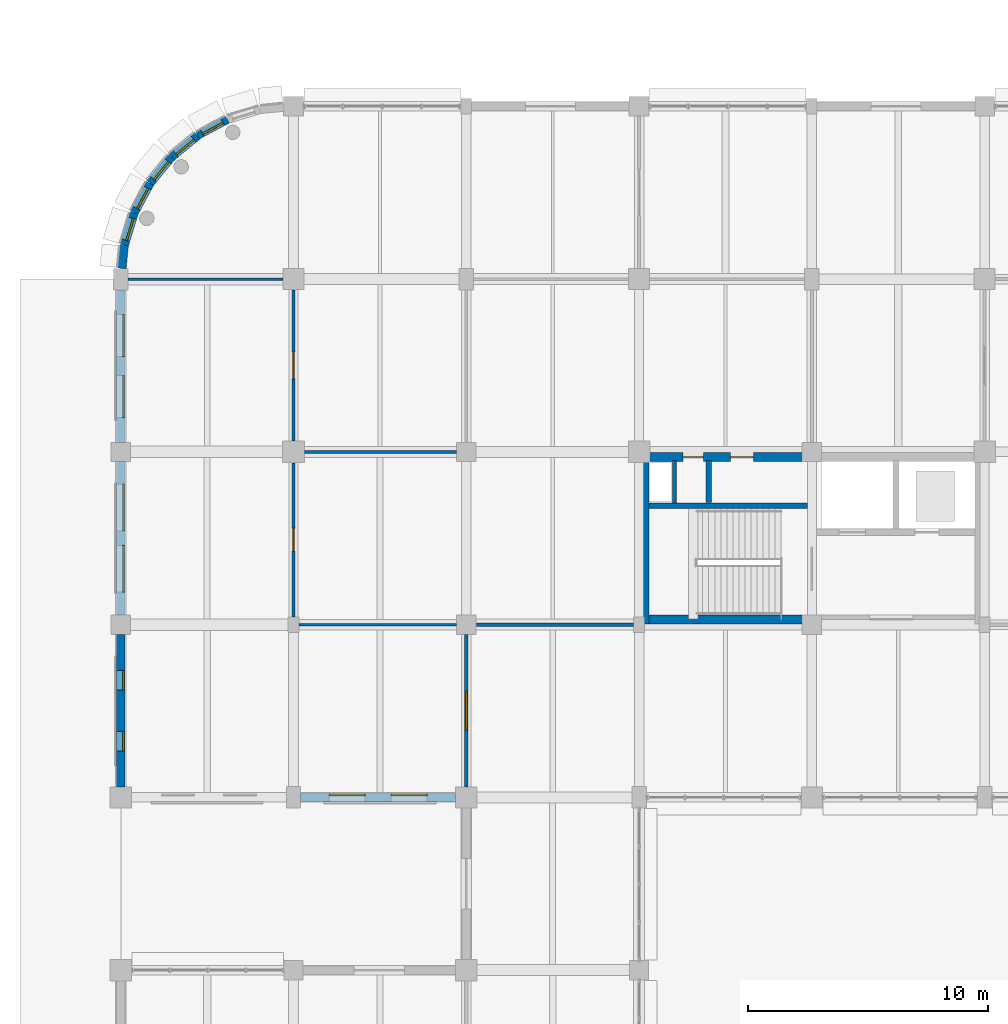
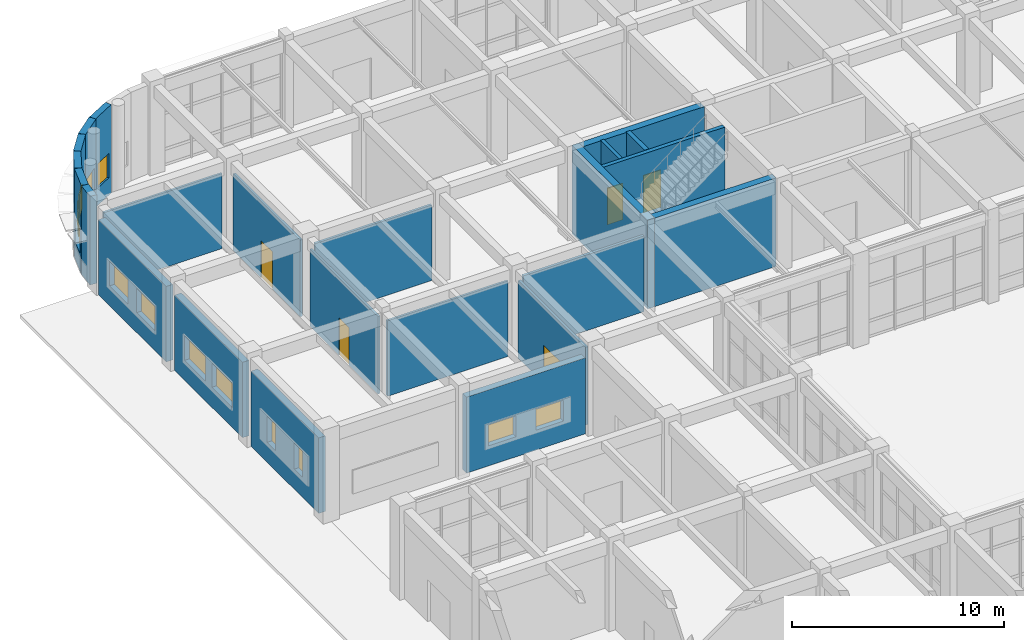
# One storey, part 141 of 160: 23 walls, 13 windows, 5 doors, 18 openings.
"""IFC4 building model written with IfcOpenShell, lengths in metres."""

from ifc_helpers import new_model, si_unit, direction, frame, frame_2d, origin, place, context, subcontext, project, spatial, rectangle, extrude, material, layer, layer_set, type_object, element, fill, save


model = new_model("IFC4")

# Units and contexts
model_context = context("Model", 3, precision=1e-05, world=origin(), true_north=direction((0.0, 1.0)))
body_context = subcontext(model_context, "Body", "Model", "MODEL_VIEW")
ifc_project = project(units=[si_unit("LENGTHUNIT", "METRE"), si_unit("AREAUNIT", "SQUARE_METRE"), si_unit("VOLUMEUNIT", "CUBIC_METRE"), si_unit("PLANEANGLEUNIT", "RADIAN"), si_unit("MASSUNIT", "GRAM", prefix="KILO")], contexts=[model_context])

# Site, building, storey
site_placement = place(None, origin())
site = spatial("IfcSite", under=ifc_project, at=site_placement, CompositionType="ELEMENT")
building_placement = place(site_placement, origin())
building = spatial("IfcBuilding", under=site, at=building_placement, Name="Thalmaran Polytechnic", CompositionType="ELEMENT")
storey_placement = place(building_placement, origin())
storey = spatial("IfcBuildingStorey", under=building, at=storey_placement, Name="L00", CompositionType="ELEMENT", Elevation=0.0)

# Wall, openings, windows
ifc_material_1 = material(Name="Precast concrete C40/50", Category="concrete")
ifc_layer_1 = layer(ifc_material_1, 0.360107421875, Name="Precast concrete C40/50")
ifc_layer_set_1 = layer_set([ifc_layer_1], Name="Precast concrete C40/50")
wall_type_1 = type_object("IfcWallType", Name="WL-EW01", PredefinedType="STANDARD", material=ifc_layer_set_1)
wall_1_placement = place(storey_placement, frame((13.9599609375, 93.60009765625, 0.0), z_axis=(0.0, 0.0, 1.0), x_axis=(-1.0, 0.0, 0.0)))
wall_1 = element("IfcWall", 1, at=wall_1_placement, inside=storey, type_object=wall_type_1, Name="Exterior Precast Facade Wall L00-016", PredefinedType="STANDARD", context=body_context, shape_type="SweptSolid", body=[
    extrude(rectangle(XDim=6.4599609375, YDim=0.360107421875, at=frame_2d((3.22998046875, 0.0))), origin(), (0.0, 0.0, 1.0), 4.3701171875),
])
opening_1_placement = place(wall_1_placement, frame((1.18798828125, 0.0, 1.14990234375)))
opening_1 = element("IfcOpeningElement", 2, at=opening_1_placement, cuts=wall_1, Name="Opening PW14", PredefinedType="OPENING", context=body_context, shape_type="SweptSolid", body=[
    extrude(rectangle(XDim=1.5, YDim=1.199951171875, at=frame_2d((0.75, 0.60009765625))), frame((0.0, 0.18994140625, 0.0), z_axis=(0.0, -1.0, 0.0), x_axis=(1.0, 0.0, 0.0)), (0.0, 0.0, 1.0), 0.380126953125),
])
opening_2_placement = place(wall_1_placement, frame((3.77197265625, 0.0, 1.14990234375)))
opening_2 = element("IfcOpeningElement", 3, at=opening_2_placement, cuts=wall_1, Name="Opening PW14", PredefinedType="OPENING", context=body_context, shape_type="SweptSolid", body=[
    extrude(rectangle(XDim=1.5, YDim=1.199951171875, at=frame_2d((0.75, 0.60009765625))), frame((0.0, 0.18994140625, 0.0), z_axis=(0.0, -1.0, 0.0), x_axis=(1.0, 0.0, 0.0)), (0.0, 0.0, 1.0), 0.380126953125),
])
ifc_material_2 = material(Name="Thermally broken aluminium and double low-E glass", Category="aluminium")
window_type_1 = type_object("IfcWindowType", Name="WN-PW04", PartitioningType="DOUBLE_PANEL_VERTICAL", PredefinedType="WINDOW", material=ifc_material_2)
window_1_placement = place(opening_1_placement, origin())
window_1 = element("IfcWindow", 4, at=window_1_placement, inside=storey, type_object=window_type_1, Name="Deep-Set Solar-Screened Window W-0009", OverallHeight=1.199951171875, OverallWidth=1.5, PartitioningType="SINGLE_PANEL", PredefinedType="WINDOW", context=body_context, shape_type="SweptSolid", body=[
    extrude(rectangle(XDim=1.5, YDim=1.199951171875, at=frame_2d((0.75, 0.60009765625))), frame((0.0, -0.080078125, 0.0), z_axis=(0.0, -1.0, 0.0), x_axis=(1.0, 0.0, 0.0)), (0.0, 0.0, 1.0), 0.06005859375),
])
fill(opening_1, window_1)
window_2_placement = place(opening_2_placement, origin())
window_2 = element("IfcWindow", 5, at=window_2_placement, inside=storey, type_object=window_type_1, Name="Deep-Set Solar-Screened Window W-0010", OverallHeight=1.199951171875, OverallWidth=1.5, PartitioningType="SINGLE_PANEL", PredefinedType="WINDOW", context=body_context, shape_type="SweptSolid", body=[
    extrude(rectangle(XDim=1.5, YDim=1.199951171875, at=frame_2d((0.75, 0.60009765625))), frame((0.0, -0.080078125, 0.0), z_axis=(0.0, -1.0, 0.0), x_axis=(1.0, 0.0, 0.0)), (0.0, 0.0, 1.0), 0.06005859375),
])
fill(opening_2, window_2)

wall_2_placement = place(storey_placement, frame((0.0, 94.0400390625, 0.0), z_axis=(0.0, 0.0, 1.0), x_axis=(0.0, 1.0, 0.0)))
wall_2 = element("IfcWall", 6, at=wall_2_placement, inside=storey, type_object=wall_type_1, Name="Exterior Precast Facade Wall L00-018", PredefinedType="STANDARD", context=body_context, shape_type="SweptSolid", body=[
    extrude(rectangle(XDim=6.349853515625, YDim=0.360107421875, at=frame_2d((3.1748046875, 0.0))), origin(), (0.0, 0.0, 1.0), 4.3349609375),
])
opening_3_placement = place(wall_2_placement, frame((1.5048828125, 0.0, 1.14990234375)))
opening_3 = element("IfcOpeningElement", 7, at=opening_3_placement, cuts=wall_2, Name="Opening PW16", PredefinedType="OPENING", context=body_context, shape_type="SweptSolid", body=[
    extrude(rectangle(XDim=0.800048828125, YDim=1.5, at=frame_2d((0.39990234375, 0.75))), frame((0.0, 0.18994140625, 0.0), z_axis=(0.0, -1.0, 0.0), x_axis=(1.0, 0.0, 0.0)), (0.0, 0.0, 1.0), 0.380126953125),
])
opening_4_placement = place(wall_2_placement, frame((4.044921875, 0.0, 1.14990234375)))
opening_4 = element("IfcOpeningElement", 8, at=opening_4_placement, cuts=wall_2, Name="Opening PW16", PredefinedType="OPENING", context=body_context, shape_type="SweptSolid", body=[
    extrude(rectangle(XDim=0.800048828125, YDim=1.5, at=frame_2d((0.39990234375, 0.75))), frame((0.0, 0.18994140625, 0.0), z_axis=(0.0, -1.0, 0.0), x_axis=(1.0, 0.0, 0.0)), (0.0, 0.0, 1.0), 0.380126953125),
])
window_type_2 = type_object("IfcWindowType", Name="WN-PW06", PartitioningType="SINGLE_PANEL", PredefinedType="WINDOW", material=ifc_material_2)
window_3_placement = place(opening_3_placement, origin())
window_3 = element("IfcWindow", 9, at=window_3_placement, inside=storey, type_object=window_type_2, Name="Deep-Set Solar-Screened Window W-0013", OverallHeight=1.5, OverallWidth=0.800048828125, PartitioningType="SINGLE_PANEL", PredefinedType="WINDOW", context=body_context, shape_type="SweptSolid", body=[
    extrude(rectangle(XDim=0.800048828125, YDim=1.5, at=frame_2d((0.39990234375, 0.75))), frame((0.0, -0.080078125, 0.0), z_axis=(0.0, -1.0, 0.0), x_axis=(1.0, 0.0, 0.0)), (0.0, 0.0, 1.0), 0.06005859375),
])
fill(opening_3, window_3)
window_4_placement = place(opening_4_placement, origin())
window_4 = element("IfcWindow", 10, at=window_4_placement, inside=storey, type_object=window_type_2, Name="Deep-Set Solar-Screened Window W-0014", OverallHeight=1.5, OverallWidth=0.800048828125, PartitioningType="SINGLE_PANEL", PredefinedType="WINDOW", context=body_context, shape_type="SweptSolid", body=[
    extrude(rectangle(XDim=0.800048828125, YDim=1.5, at=frame_2d((0.39990234375, 0.75))), frame((0.0, -0.080078125, 0.0), z_axis=(0.0, -1.0, 0.0), x_axis=(1.0, 0.0, 0.0)), (0.0, 0.0, 1.0), 0.06005859375),
])
fill(opening_4, window_4)

wall_3_placement = place(storey_placement, frame((0.0, 101.2099609375, 0.0), z_axis=(0.0, 0.0, 1.0), x_axis=(0.0, 1.0, 0.0)))
wall_3 = element("IfcWall", 11, at=wall_3_placement, inside=storey, type_object=wall_type_1, Name="Exterior Precast Facade Wall L00-019", PredefinedType="STANDARD", context=body_context, shape_type="SweptSolid", body=[
    extrude(rectangle(XDim=6.39013671875, YDim=0.360107421875, at=frame_2d((3.195068359375, 0.0))), origin(), (0.0, 0.0, 1.0), 4.3349609375),
])
opening_5_placement = place(wall_3_placement, frame((0.94189453125, 0.0, 1.14990234375)))
opening_5 = element("IfcOpeningElement", 12, at=opening_5_placement, cuts=wall_3, Name="Opening VW07", PredefinedType="OPENING", context=body_context, shape_type="SweptSolid", body=[
    extrude(rectangle(XDim=1.949951171875, YDim=1.39990234375, at=frame_2d((0.97509765625, 0.699951171875))), frame((0.0, 0.18994140625, 0.0), z_axis=(0.0, -1.0, 0.0), x_axis=(1.0, 0.0, 0.0)), (0.0, 0.0, 1.0), 0.380126953125),
])
opening_6_placement = place(wall_3_placement, frame((3.498046875, 0.0, 1.14990234375)))
opening_6 = element("IfcOpeningElement", 13, at=opening_6_placement, cuts=wall_3, Name="Opening VW07", PredefinedType="OPENING", context=body_context, shape_type="SweptSolid", body=[
    extrude(rectangle(XDim=1.949951171875, YDim=1.39990234375, at=frame_2d((0.97509765625, 0.699951171875))), frame((0.0, 0.18994140625, 0.0), z_axis=(0.0, -1.0, 0.0), x_axis=(1.0, 0.0, 0.0)), (0.0, 0.0, 1.0), 0.380126953125),
])
window_type_3 = type_object("IfcWindowType", Name="WN-VZ07", PartitioningType="SINGLE_PANEL", PredefinedType="WINDOW", material=ifc_material_2)
window_5_placement = place(opening_5_placement, origin())
window_5 = element("IfcWindow", 14, at=window_5_placement, inside=storey, type_object=window_type_3, Name="Deep-Set Solar-Screened Window W-0015", OverallHeight=1.39990234375, OverallWidth=1.949951171875, PartitioningType="SINGLE_PANEL", PredefinedType="WINDOW", context=body_context, shape_type="SweptSolid", body=[
    extrude(rectangle(XDim=1.949951171875, YDim=1.39990234375, at=frame_2d((0.97509765625, 0.699951171875))), frame((0.0, -0.080078125, 0.0), z_axis=(0.0, -1.0, 0.0), x_axis=(1.0, 0.0, 0.0)), (0.0, 0.0, 1.0), 0.06005859375),
])
fill(opening_5, window_5)
window_6_placement = place(opening_6_placement, origin())
window_6 = element("IfcWindow", 15, at=window_6_placement, inside=storey, type_object=window_type_3, Name="Deep-Set Solar-Screened Window W-0016", OverallHeight=1.39990234375, OverallWidth=1.949951171875, PartitioningType="SINGLE_PANEL", PredefinedType="WINDOW", context=body_context, shape_type="SweptSolid", body=[
    extrude(rectangle(XDim=1.949951171875, YDim=1.39990234375, at=frame_2d((0.97509765625, 0.699951171875))), frame((0.0, -0.080078125, 0.0), z_axis=(0.0, -1.0, 0.0), x_axis=(1.0, 0.0, 0.0)), (0.0, 0.0, 1.0), 0.06005859375),
])
fill(opening_6, window_6)

wall_4_placement = place(storey_placement, frame((0.0, 108.39990234375, 0.0), z_axis=(0.0, 0.0, 1.0), x_axis=(0.0, 1.0, 0.0)))
wall_4 = element("IfcWall", 16, at=wall_4_placement, inside=storey, type_object=wall_type_1, Name="Exterior Precast Facade Wall L00-020", PredefinedType="STANDARD", context=body_context, shape_type="SweptSolid", body=[
    extrude(rectangle(XDim=6.35009765625, YDim=0.360107421875, at=frame_2d((3.175048828125, 0.0))), origin(), (0.0, 0.0, 1.0), 4.3349609375),
])
opening_7_placement = place(wall_4_placement, frame((1.030029296875, 0.0, 1.14990234375)))
opening_7 = element("IfcOpeningElement", 17, at=opening_7_placement, cuts=wall_4, Name="Opening VW08", PredefinedType="OPENING", context=body_context, shape_type="SweptSolid", body=[
    extrude(rectangle(XDim=1.75, YDim=1.39990234375, at=frame_2d((0.875, 0.699951171875))), frame((0.0, 0.18994140625, 0.0), z_axis=(0.0, -1.0, 0.0), x_axis=(1.0, 0.0, 0.0)), (0.0, 0.0, 1.0), 0.380126953125),
])
opening_8_placement = place(wall_4_placement, frame((3.570068359375, 0.0, 1.14990234375)))
opening_8 = element("IfcOpeningElement", 18, at=opening_8_placement, cuts=wall_4, Name="Opening VW08", PredefinedType="OPENING", context=body_context, shape_type="SweptSolid", body=[
    extrude(rectangle(XDim=1.75, YDim=1.39990234375, at=frame_2d((0.875, 0.699951171875))), frame((0.0, 0.18994140625, 0.0), z_axis=(0.0, -1.0, 0.0), x_axis=(1.0, 0.0, 0.0)), (0.0, 0.0, 1.0), 0.380126953125),
])
window_type_4 = type_object("IfcWindowType", Name="WN-VZ08", PartitioningType="SINGLE_PANEL", PredefinedType="WINDOW", material=ifc_material_2)
window_7_placement = place(opening_7_placement, origin())
window_7 = element("IfcWindow", 19, at=window_7_placement, inside=storey, type_object=window_type_4, Name="Deep-Set Solar-Screened Window W-0017", OverallHeight=1.39990234375, OverallWidth=1.75, PartitioningType="SINGLE_PANEL", PredefinedType="WINDOW", context=body_context, shape_type="SweptSolid", body=[
    extrude(rectangle(XDim=1.75, YDim=1.39990234375, at=frame_2d((0.875, 0.699951171875))), frame((0.0, -0.080078125, 0.0), z_axis=(0.0, -1.0, 0.0), x_axis=(1.0, 0.0, 0.0)), (0.0, 0.0, 1.0), 0.06005859375),
])
fill(opening_7, window_7)
window_8_placement = place(opening_8_placement, origin())
window_8 = element("IfcWindow", 20, at=window_8_placement, inside=storey, type_object=window_type_4, Name="Deep-Set Solar-Screened Window W-0018", OverallHeight=1.39990234375, OverallWidth=1.75, PartitioningType="SINGLE_PANEL", PredefinedType="WINDOW", context=body_context, shape_type="SweptSolid", body=[
    extrude(rectangle(XDim=1.75, YDim=1.39990234375, at=frame_2d((0.875, 0.699951171875))), frame((0.0, -0.080078125, 0.0), z_axis=(0.0, -1.0, 0.0), x_axis=(1.0, 0.0, 0.0)), (0.0, 0.0, 1.0), 0.06005859375),
])
fill(opening_8, window_8)

# Wall
wall_5_placement = place(storey_placement, frame((0.044189453125, 115.64794921875, 0.0), z_axis=(0.0, 0.0, 1.0), x_axis=(0.098020206159, 0.99518442471, 0.0)))
element("IfcWall", 21, at=wall_5_placement, inside=storey, type_object=wall_type_1, Name="Exterior Precast Facade Wall L00-021", PredefinedType="STANDARD", context=body_context, shape_type="SweptSolid", body=[
    extrude(rectangle(XDim=0.96142578125, YDim=0.360107421875, at=frame_2d((0.480712890625, 0.0))), origin(), (0.0, 0.0, 1.0), 5.090087890625),
])

# Wall, opening, window
wall_6_placement = place(storey_placement, frame((0.138427734375, 116.604736328125, 0.0), z_axis=(0.0, 0.0, 1.0), x_axis=(0.290266641956, 0.956945806495, 0.0)))
wall_6 = element("IfcWall", 22, at=wall_6_placement, inside=storey, type_object=wall_type_1, Name="Exterior Precast Facade Wall L00-022", PredefinedType="STANDARD", context=body_context, shape_type="SweptSolid", body=[
    extrude(rectangle(XDim=1.411376953125, YDim=0.360107421875, at=frame_2d((0.70556640625, 0.0))), origin(), (0.0, 0.0, 1.0), 5.090087890625),
])
opening_9_placement = place(wall_6_placement, frame((0.2255859375, 0.0, 1.0)))
opening_9 = element("IfcOpeningElement", 23, at=opening_9_placement, cuts=wall_6, Name="Opening CR01", PredefinedType="OPENING", context=body_context, shape_type="SweptSolid", body=[
    extrude(rectangle(XDim=0.9599609375, YDim=1.39990234375, at=frame_2d((0.47998046875, 0.699951171875))), frame((0.0, 0.18994140625, 0.0), z_axis=(0.0, -1.0, 0.0), x_axis=(1.0, 0.0, 0.0)), (0.0, 0.0, 1.0), 0.380126953125),
])
window_type_5 = type_object("IfcWindowType", Name="WN-CR01", PartitioningType="SINGLE_PANEL", PredefinedType="WINDOW", material=ifc_material_2)
window_9_placement = place(opening_9_placement, origin())
window_9 = element("IfcWindow", 24, at=window_9_placement, inside=storey, type_object=window_type_5, Name="Curved Prow Ribbon Window W-0019", OverallHeight=1.39990234375, OverallWidth=0.9599609375, PartitioningType="SINGLE_PANEL", PredefinedType="WINDOW", context=body_context, shape_type="SweptSolid", body=[
    extrude(rectangle(XDim=0.9599609375, YDim=1.39990234375, at=frame_2d((0.47998046875, 0.699951171875))), frame((0.0, -0.010009765625, 0.0), z_axis=(0.0, -1.0, 0.0), x_axis=(1.0, 0.0, 0.0)), (0.0, 0.0, 1.0), 0.06005859375),
])
fill(opening_9, window_9)

wall_7_placement = place(storey_placement, frame((0.548095703125, 117.955322265625, 0.0), z_axis=(0.0, 0.0, 1.0), x_axis=(0.471333199182, 0.881955222984, 0.0)))
wall_7 = element("IfcWall", 25, at=wall_7_placement, inside=storey, type_object=wall_type_1, Name="Exterior Precast Facade Wall L00-023", PredefinedType="STANDARD", context=body_context, shape_type="SweptSolid", body=[
    extrude(rectangle(XDim=1.411376953125, YDim=0.360107421875, at=frame_2d((0.70556640625, 0.0))), origin(), (0.0, 0.0, 1.0), 5.090087890625),
])
opening_10_placement = place(wall_7_placement, frame((0.2255859375, 0.0, 1.0)))
opening_10 = element("IfcOpeningElement", 26, at=opening_10_placement, cuts=wall_7, Name="Opening CR01", PredefinedType="OPENING", context=body_context, shape_type="SweptSolid", body=[
    extrude(rectangle(XDim=0.9599609375, YDim=1.39990234375, at=frame_2d((0.47998046875, 0.699951171875))), frame((0.0, 0.18994140625, 0.0), z_axis=(0.0, -1.0, 0.0), x_axis=(1.0, 0.0, 0.0)), (0.0, 0.0, 1.0), 0.380126953125),
])
window_10_placement = place(opening_10_placement, origin())
window_10 = element("IfcWindow", 27, at=window_10_placement, inside=storey, type_object=window_type_5, Name="Curved Prow Ribbon Window W-0020", OverallHeight=1.39990234375, OverallWidth=0.9599609375, PartitioningType="SINGLE_PANEL", PredefinedType="WINDOW", context=body_context, shape_type="SweptSolid", body=[
    extrude(rectangle(XDim=0.9599609375, YDim=1.39990234375, at=frame_2d((0.47998046875, 0.699951171875))), frame((0.0, -0.010009765625, 0.0), z_axis=(0.0, -1.0, 0.0), x_axis=(1.0, 0.0, 0.0)), (0.0, 0.0, 1.0), 0.06005859375),
])
fill(opening_10, window_10)

wall_8_placement = place(storey_placement, frame((1.21337890625, 119.2001953125, 0.0), z_axis=(0.0, 0.0, 1.0), x_axis=(0.634433227965, 0.772977670605, 0.0)))
wall_8 = element("IfcWall", 28, at=wall_8_placement, inside=storey, type_object=wall_type_1, Name="Exterior Precast Facade Wall L00-024", PredefinedType="STANDARD", context=body_context, shape_type="SweptSolid", body=[
    extrude(rectangle(XDim=1.41162109375, YDim=0.360107421875, at=frame_2d((0.705810546875, 0.0))), origin(), (0.0, 0.0, 1.0), 5.090087890625),
])
opening_11_placement = place(wall_8_placement, frame((0.2255859375, 0.0, 1.0)))
opening_11 = element("IfcOpeningElement", 29, at=opening_11_placement, cuts=wall_8, Name="Opening CR01", PredefinedType="OPENING", context=body_context, shape_type="SweptSolid", body=[
    extrude(rectangle(XDim=0.9599609375, YDim=1.39990234375, at=frame_2d((0.47998046875, 0.699951171875))), frame((0.0, 0.18994140625, 0.0), z_axis=(0.0, -1.0, 0.0), x_axis=(1.0, 0.0, 0.0)), (0.0, 0.0, 1.0), 0.380126953125),
])
window_11_placement = place(opening_11_placement, origin())
window_11 = element("IfcWindow", 30, at=window_11_placement, inside=storey, type_object=window_type_5, Name="Curved Prow Ribbon Window W-0021", OverallHeight=1.39990234375, OverallWidth=0.9599609375, PartitioningType="SINGLE_PANEL", PredefinedType="WINDOW", context=body_context, shape_type="SweptSolid", body=[
    extrude(rectangle(XDim=0.9599609375, YDim=1.39990234375, at=frame_2d((0.47998046875, 0.699951171875))), frame((0.0, -0.010009765625, 0.0), z_axis=(0.0, -1.0, 0.0), x_axis=(1.0, 0.0, 0.0)), (0.0, 0.0, 1.0), 0.06005859375),
])
fill(opening_11, window_11)

wall_9_placement = place(storey_placement, frame((2.10888671875, 120.291259765625, 0.0), z_axis=(0.0, 0.0, 1.0), x_axis=(0.773062495189, 0.63432986571, 0.0)))
wall_9 = element("IfcWall", 31, at=wall_9_placement, inside=storey, type_object=wall_type_1, Name="Exterior Precast Facade Wall L00-025", PredefinedType="STANDARD", context=body_context, shape_type="SweptSolid", body=[
    extrude(rectangle(XDim=1.411376953125, YDim=0.360107421875, at=frame_2d((0.70556640625, 0.0))), origin(), (0.0, 0.0, 1.0), 5.090087890625),
])
opening_12_placement = place(wall_9_placement, frame((0.2255859375, 0.0, 1.0)))
opening_12 = element("IfcOpeningElement", 32, at=opening_12_placement, cuts=wall_9, Name="Opening CR01", PredefinedType="OPENING", context=body_context, shape_type="SweptSolid", body=[
    extrude(rectangle(XDim=0.9599609375, YDim=1.39990234375, at=frame_2d((0.47998046875, 0.699951171875))), frame((0.0, 0.18994140625, 0.0), z_axis=(0.0, -1.0, 0.0), x_axis=(1.0, 0.0, 0.0)), (0.0, 0.0, 1.0), 0.380126953125),
])
window_12_placement = place(opening_12_placement, origin())
window_12 = element("IfcWindow", 33, at=window_12_placement, inside=storey, type_object=window_type_5, Name="Curved Prow Ribbon Window W-0022", OverallHeight=1.39990234375, OverallWidth=0.9599609375, PartitioningType="SINGLE_PANEL", PredefinedType="WINDOW", context=body_context, shape_type="SweptSolid", body=[
    extrude(rectangle(XDim=0.9599609375, YDim=1.39990234375, at=frame_2d((0.47998046875, 0.699951171875))), frame((0.0, -0.010009765625, 0.0), z_axis=(0.0, -1.0, 0.0), x_axis=(1.0, 0.0, 0.0)), (0.0, 0.0, 1.0), 0.06005859375),
])
fill(opening_12, window_12)

ifc_layer_2 = layer(ifc_material_1, 0.330078125, Name="Precast concrete C40/50")
ifc_layer_set_2 = layer_set([ifc_layer_2], Name="Precast concrete C40/50")
wall_type_2 = type_object("IfcWallType", Name="WL-EW02", PredefinedType="STANDARD", material=ifc_layer_set_2)
wall_10_placement = place(storey_placement, frame((3.199951171875, 121.1865234375, 0.0), z_axis=(0.0, 0.0, 1.0), x_axis=(0.881844864465, 0.471539643102, 0.0)))
wall_10 = element("IfcWall", 34, at=wall_10_placement, inside=storey, type_object=wall_type_2, Name="Exterior Precast Facade Wall L00-026", PredefinedType="STANDARD", context=body_context, shape_type="SweptSolid", body=[
    extrude(rectangle(XDim=1.411376953125, YDim=0.330078125, at=frame_2d((0.70556640625, 0.0))), origin(), (0.0, 0.0, 1.0), 5.090087890625),
])
opening_13_placement = place(wall_10_placement, frame((0.2255859375, 0.0, 1.0)))
opening_13 = element("IfcOpeningElement", 35, at=opening_13_placement, cuts=wall_10, Name="Opening CR01", PredefinedType="OPENING", context=body_context, shape_type="SweptSolid", body=[
    extrude(rectangle(XDim=0.9599609375, YDim=1.39990234375, at=frame_2d((0.47998046875, 0.699951171875))), frame((0.0, 0.175048828125, 0.0), z_axis=(0.0, -1.0, 0.0), x_axis=(1.0, 0.0, 0.0)), (0.0, 0.0, 1.0), 0.35009765625),
])
window_13_placement = place(opening_13_placement, origin())
window_13 = element("IfcWindow", 36, at=window_13_placement, inside=storey, type_object=window_type_5, Name="Curved Prow Ribbon Window W-0023", OverallHeight=1.39990234375, OverallWidth=0.9599609375, PartitioningType="SINGLE_PANEL", PredefinedType="WINDOW", context=body_context, shape_type="SweptSolid", body=[
    extrude(rectangle(XDim=0.9599609375, YDim=1.39990234375, at=frame_2d((0.47998046875, 0.699951171875))), frame((0.0, -0.010009765625, 0.0), z_axis=(0.0, -1.0, 0.0), x_axis=(1.0, 0.0, 0.0)), (0.0, 0.0, 1.0), 0.06005859375),
])
fill(opening_13, window_13)

# Walls
ifc_material_3 = material(Name="Autoclaved aerated masonry", Category="masonry")
ifc_layer_3 = layer(ifc_material_3, 0.22998046875, Name="Autoclaved aerated masonry")
ifc_layer_set_3 = layer_set([ifc_layer_3], Name="Autoclaved aerated masonry")
wall_type_3 = type_object("IfcWallType", Name="WL-IW02", PredefinedType="PARTITIONING", material=ifc_layer_set_3)
wall_11_placement = place(storey_placement, frame((24.5, 105.89990234375, 0.0), z_axis=(0.0, 0.0, 1.0), x_axis=(0.0, 1.0, 0.0)))
element("IfcWall", 37, at=wall_11_placement, inside=storey, type_object=wall_type_3, Name="Core C2 Riser Partition L00", PredefinedType="PARTITIONING", context=body_context, shape_type="SweptSolid", body=[
    extrude(rectangle(XDim=1.739990234375, YDim=0.22998046875, at=frame_2d((0.8701171875, 0.0))), origin(), (0.0, 0.0, 1.0), 5.090087890625),
])
ifc_layer_4 = layer(ifc_material_3, 0.179931640625, Name="Autoclaved aerated masonry")
ifc_layer_set_4 = layer_set([ifc_layer_4], Name="Autoclaved aerated masonry")
wall_type_4 = type_object("IfcWallType", Name="WL-IW04", PredefinedType="PARTITIONING", material=ifc_layer_set_4)
wall_12_placement = place(storey_placement, frame((23.080078125, 105.8798828125, 0.0), z_axis=(0.0, 0.0, 1.0), x_axis=(0.0, 1.0, 0.0)))
element("IfcWall", 38, at=wall_12_placement, inside=storey, type_object=wall_type_4, Name="Core C2 Riser Shaft Enclosure Wall L00", PredefinedType="PARTITIONING", context=body_context, shape_type="SweptSolid", body=[
    extrude(rectangle(XDim=1.760009765625, YDim=0.179931640625, at=frame_2d((0.8798828125, 0.0))), origin(), (0.0, 0.0, 1.0), 5.090087890625),
])

# Wall, opening, door
ifc_material_4 = material(Name="Gypsum acoustic partition")
ifc_layer_5 = layer(ifc_material_4, 0.14501953125, Name="Gypsum acoustic partition")
ifc_layer_set_5 = layer_set([ifc_layer_5], Name="Gypsum acoustic partition")
wall_type_5 = type_object("IfcWallType", Name="WL-IW06", PredefinedType="PARTITIONING", material=ifc_layer_set_5)
wall_13_placement = place(storey_placement, frame((14.39990234375, 94.044921875, 0.0), z_axis=(0.0, 0.0, 1.0), x_axis=(0.0, 1.0, 0.0)))
wall_13 = element("IfcWall", 39, at=wall_13_placement, inside=storey, type_object=wall_type_5, Name="Interior Partition IW06 L00-026", PredefinedType="PARTITIONING", context=body_context, shape_type="SweptSolid", body=[
    extrude(rectangle(XDim=6.340087890625, YDim=0.14501953125, at=frame_2d((3.169921875, 0.0))), origin(), (0.0, 0.0, 1.0), 4.4599609375),
])
opening_14_placement = place(wall_13_placement, frame((2.3701171875, 0.0, 0.0)))
opening_14 = element("IfcOpeningElement", 40, at=opening_14_placement, cuts=wall_13, Name="Opening D-L00-025-2-01-1", PredefinedType="OPENING", context=body_context, shape_type="SweptSolid", body=[
    extrude(rectangle(XDim=1.60009765625, YDim=2.199951171875, at=frame_2d((0.800048828125, 1.10009765625))), frame((0.0, 0.08251953125, 0.0), z_axis=(0.0, -1.0, 0.0), x_axis=(1.0, 0.0, 0.0)), (0.0, 0.0, 1.0), 0.1650390625),
])
ifc_material_5 = material(Name="Powder-coated fire-rated steel", Category="steel")
door_type_1 = type_object("IfcDoorType", Name="DR-FD05", OperationType="NOTDEFINED", PredefinedType="DOOR", material=ifc_material_5)
door_1_placement = place(opening_14_placement, origin())
door_1 = element("IfcDoor", 41, at=door_1_placement, inside=storey, type_object=door_type_1, Name="Library Book Stacks L00-01 Door 1", OperationType="DOUBLE_DOOR_SINGLE_SWING", OverallHeight=2.199951171875, OverallWidth=1.60009765625, PredefinedType="DOOR", context=body_context, shape_type="SweptSolid", body=[
    extrude(rectangle(XDim=1.60009765625, YDim=2.199951171875, at=frame_2d((0.800048828125, 1.10009765625))), frame((0.0, 0.02490234375, 0.0), z_axis=(0.0, -1.0, 0.0), x_axis=(1.0, 0.0, 0.0)), (0.0, 0.0, 1.0), 0.050048828125),
])
fill(opening_14, door_1)

# Wall
wall_14_placement = place(storey_placement, frame((14.81494140625, 100.800048828125, 0.0), z_axis=(0.0, 0.0, 1.0), x_axis=(1.0, 0.0, 0.0)))
element("IfcWall", 42, at=wall_14_placement, inside=storey, type_object=wall_type_5, Name="Interior Partition IW06 L00-034", PredefinedType="PARTITIONING", context=body_context, shape_type="SweptSolid", body=[
    extrude(rectangle(XDim=6.55517578125, YDim=0.14501953125, at=frame_2d((3.277587890625, 0.0))), origin(), (0.0, 0.0, 1.0), 4.35009765625),
])

# Wall, opening, door
ifc_layer_6 = layer(ifc_material_4, 0.1298828125, Name="Gypsum acoustic partition")
ifc_layer_set_6 = layer_set([ifc_layer_6], Name="Gypsum acoustic partition")
wall_type_6 = type_object("IfcWallType", Name="WL-IW07", PredefinedType="PARTITIONING", material=ifc_layer_set_6)
wall_15_placement = place(storey_placement, frame((7.199951171875, 108.455078125, 0.0), z_axis=(0.0, 0.0, 1.0), x_axis=(0.0, 1.0, 0.0)))
wall_15 = element("IfcWall", 43, at=wall_15_placement, inside=storey, type_object=wall_type_6, Name="Interior Partition IW07 L00-012", PredefinedType="PARTITIONING", context=body_context, shape_type="SweptSolid", body=[
    extrude(rectangle(XDim=6.2998046875, YDim=0.1298828125, at=frame_2d((3.14990234375, 0.0))), origin(), (0.0, 0.0, 1.0), 4.405029296875),
])
opening_15_placement = place(wall_15_placement, frame((2.60009765625, 0.0, 0.0)))
opening_15 = element("IfcOpeningElement", 44, at=opening_15_placement, cuts=wall_15, Name="Opening D-L00-026-2-02-1", PredefinedType="OPENING", context=body_context, shape_type="SweptSolid", body=[
    extrude(rectangle(XDim=1.10009765625, YDim=2.14990234375, at=frame_2d((0.550048828125, 1.074951171875))), frame((0.0, 0.074951171875, 0.0), z_axis=(0.0, -1.0, 0.0), x_axis=(1.0, 0.0, 0.0)), (0.0, 0.0, 1.0), 0.14990234375),
])
door_type_2 = type_object("IfcDoorType", Name="DR-FD07", OperationType="NOTDEFINED", PredefinedType="DOOR", material=ifc_material_5)
door_2_placement = place(opening_15_placement, origin())
door_2 = element("IfcDoor", 45, at=door_2_placement, inside=storey, type_object=door_type_2, Name="Digital Learning Commons L00-02 Door 1", OperationType="SINGLE_SWING_RIGHT", OverallHeight=2.14990234375, OverallWidth=1.10009765625, PredefinedType="DOOR", context=body_context, shape_type="SweptSolid", body=[
    extrude(rectangle(XDim=1.10009765625, YDim=2.14990234375, at=frame_2d((0.550048828125, 1.074951171875))), frame((0.0, 0.02490234375, 0.0), z_axis=(0.0, -1.0, 0.0), x_axis=(1.0, 0.0, 0.0)), (0.0, 0.0, 1.0), 0.050048828125),
])
fill(opening_15, door_2)

# Wall
wall_16_placement = place(storey_placement, frame((7.655029296875, 108.0, 0.0), z_axis=(0.0, 0.0, 1.0), x_axis=(1.0, 0.0, 0.0)))
element("IfcWall", 46, at=wall_16_placement, inside=storey, type_object=wall_type_6, Name="Interior Partition IW07 L00-028", PredefinedType="PARTITIONING", context=body_context, shape_type="SweptSolid", body=[
    extrude(rectangle(XDim=6.340087890625, YDim=0.1298828125, at=frame_2d((3.169921875, 0.0))), origin(), (0.0, 0.0, 1.0), 4.340087890625),
])

# Wall, opening, door
ifc_layer_7 = layer(ifc_material_4, 0.114990234375, Name="Gypsum acoustic partition")
ifc_layer_set_7 = layer_set([ifc_layer_7], Name="Gypsum acoustic partition")
wall_type_7 = type_object("IfcWallType", Name="WL-IW08", PredefinedType="PARTITIONING", material=ifc_layer_set_7)
wall_17_placement = place(storey_placement, frame((7.199951171875, 101.1298828125, 0.0), z_axis=(0.0, 0.0, 1.0), x_axis=(0.0, 1.0, 0.0)))
wall_17 = element("IfcWall", 47, at=wall_17_placement, inside=storey, type_object=wall_type_7, Name="Interior Partition IW08 L00-011", PredefinedType="PARTITIONING", context=body_context, shape_type="SweptSolid", body=[
    extrude(rectangle(XDim=6.4150390625, YDim=0.114990234375, at=frame_2d((3.20751953125, 0.0))), origin(), (0.0, 0.0, 1.0), 4.455078125),
])
opening_16_placement = place(wall_17_placement, frame((2.732421875, 0.0, 0.0)))
opening_16 = element("IfcOpeningElement", 48, at=opening_16_placement, cuts=wall_17, Name="Opening D-L00-027-2-03-1", PredefinedType="OPENING", context=body_context, shape_type="SweptSolid", body=[
    extrude(rectangle(XDim=0.949951171875, YDim=2.14990234375, at=frame_2d((0.47509765625, 1.074951171875))), frame((0.0, 0.0673828125, 0.0), z_axis=(0.0, -1.0, 0.0), x_axis=(1.0, 0.0, 0.0)), (0.0, 0.0, 1.0), 0.135009765625),
])
door_type_3 = type_object("IfcDoorType", Name="DR-FD08", OperationType="NOTDEFINED", PredefinedType="DOOR", material=ifc_material_5)
door_3_placement = place(opening_16_placement, origin())
door_3 = element("IfcDoor", 49, at=door_3_placement, inside=storey, type_object=door_type_3, Name="Seminar Room L00-03 Door 1", OperationType="SINGLE_SWING_LEFT", OverallHeight=2.14990234375, OverallWidth=0.949951171875, PredefinedType="DOOR", context=body_context, shape_type="SweptSolid", body=[
    extrude(rectangle(XDim=0.949951171875, YDim=2.14990234375, at=frame_2d((0.47509765625, 1.074951171875))), frame((0.0, 0.02490234375, 0.0), z_axis=(0.0, -1.0, 0.0), x_axis=(1.0, 0.0, 0.0)), (0.0, 0.0, 1.0), 0.050048828125),
])
fill(opening_16, door_3)

# Walls
wall_18_placement = place(storey_placement, frame((0.304931640625, 115.199951171875, 0.0), z_axis=(0.0, 0.0, 1.0), x_axis=(1.0, 0.0, 0.0)))
element("IfcWall", 50, at=wall_18_placement, inside=storey, type_object=wall_type_7, Name="Interior Partition IW08 L00-013", PredefinedType="PARTITIONING", context=body_context, shape_type="SweptSolid", body=[
    extrude(rectangle(XDim=6.449951171875, YDim=0.114990234375, at=frame_2d((3.22509765625, 0.0))), origin(), (0.0, 0.0, 1.0), 4.31005859375),
])
wall_19_placement = place(storey_placement, frame((7.429931640625, 100.800048828125, 0.0), z_axis=(0.0, 0.0, 1.0), x_axis=(1.0, 0.0, 0.0)))
element("IfcWall", 51, at=wall_19_placement, inside=storey, type_object=wall_type_7, Name="Interior Partition IW08 L00-027", PredefinedType="PARTITIONING", context=body_context, shape_type="SweptSolid", body=[
    extrude(rectangle(XDim=6.55517578125, YDim=0.114990234375, at=frame_2d((3.277587890625, 0.0))), origin(), (0.0, 0.0, 1.0), 4.340087890625),
])
ifc_material_6 = material(Name="Concrete C50/60", Category="concrete")
ifc_layer_8 = layer(ifc_material_6, 0.3798828125, Name="Concrete C50/60")
ifc_layer_set_8 = layer_set([ifc_layer_8], Name="Concrete C50/60")
wall_type_8 = type_object("IfcWallType", Name="WL-SW02", PredefinedType="SHEAR", material=ifc_layer_set_8)
wall_20_placement = place(storey_placement, frame((22.010009765625, 101.02001953125, 0.0), z_axis=(0.0, 0.0, 1.0), x_axis=(1.0, 0.0, 0.0)))
element("IfcWall", 52, at=wall_20_placement, inside=storey, type_object=wall_type_8, Name="Core C2 South Shear Wall L00", PredefinedType="SHEAR", context=body_context, shape_type="SweptSolid", body=[
    extrude(rectangle(XDim=6.60009765625, YDim=0.3798828125, at=frame_2d((3.300048828125, 0.0))), origin(), (0.0, 0.0, 1.0), 5.090087890625),
])
wall_21_placement = place(storey_placement, frame((21.820068359375, 107.969970703125, 0.0), z_axis=(0.0, 0.0, 1.0), x_axis=(0.0, -1.0, 0.0)))
element("IfcWall", 53, at=wall_21_placement, inside=storey, type_object=wall_type_8, Name="Core C2 West Shear Wall L00", PredefinedType="SHEAR", context=body_context, shape_type="SweptSolid", body=[
    extrude(rectangle(XDim=7.139892578125, YDim=0.3798828125, at=frame_2d((3.56982421875, 0.0))), origin(), (0.0, 0.0, 1.0), 5.090087890625),
])

# Wall, openings, doors
wall_22_placement = place(storey_placement, frame((22.010009765625, 107.780029296875, 0.0), z_axis=(0.0, 0.0, 1.0), x_axis=(1.0, 0.0, 0.0)))
wall_22 = element("IfcWall", 54, at=wall_22_placement, inside=storey, type_object=wall_type_8, Name="Core C2 North Shear Wall L00", PredefinedType="SHEAR", context=body_context, shape_type="SweptSolid", body=[
    extrude(rectangle(XDim=6.60009765625, YDim=0.3798828125, at=frame_2d((3.300048828125, 0.0))), origin(), (0.0, 0.0, 1.0), 5.090087890625),
])
opening_17_placement = place(wall_22_placement, frame((1.419921875, 0.0, 0.0)))
opening_17 = element("IfcOpeningElement", 55, at=opening_17_placement, cuts=wall_22, Name="Opening DR-C2-L00-R", PredefinedType="OPENING", context=body_context, shape_type="SweptSolid", body=[
    extrude(rectangle(XDim=0.85009765625, YDim=2.10009765625, at=frame_2d((0.425048828125, 1.050048828125))), frame((0.0, 0.199951171875, 0.0), z_axis=(0.0, -1.0, 0.0), x_axis=(1.0, 0.0, 0.0)), (0.0, 0.0, 1.0), 0.39990234375),
])
opening_18_placement = place(wall_22_placement, frame((3.39990234375, 0.0, 0.0)))
opening_18 = element("IfcOpeningElement", 56, at=opening_18_placement, cuts=wall_22, Name="Opening ED-C2-L00-E", PredefinedType="OPENING", context=body_context, shape_type="SweptSolid", body=[
    extrude(rectangle(XDim=0.949951171875, YDim=2.14990234375, at=frame_2d((0.47509765625, 1.074951171875))), frame((0.0, 0.199951171875, 0.0), z_axis=(0.0, -1.0, 0.0), x_axis=(1.0, 0.0, 0.0)), (0.0, 0.0, 1.0), 0.39990234375),
])
door_4_placement = place(opening_18_placement, origin())
door_4 = element("IfcDoor", 57, at=door_4_placement, inside=storey, type_object=door_type_3, Name="Electrical Riser Door C2 L00", OperationType="SINGLE_SWING_RIGHT", OverallHeight=2.14990234375, OverallWidth=0.949951171875, PredefinedType="DOOR", context=body_context, shape_type="SweptSolid", body=[
    extrude(rectangle(XDim=0.949951171875, YDim=2.14990234375, at=frame_2d((0.47509765625, 1.074951171875))), frame((0.0, 0.02490234375, 0.0), z_axis=(0.0, -1.0, 0.0), x_axis=(1.0, 0.0, 0.0)), (0.0, 0.0, 1.0), 0.050048828125),
])
fill(opening_18, door_4)
door_type_4 = type_object("IfcDoorType", Name="DR-FD09", OperationType="NOTDEFINED", PredefinedType="DOOR", material=ifc_material_5)
door_5_placement = place(opening_17_placement, origin())
door_5 = element("IfcDoor", 58, at=door_5_placement, inside=storey, type_object=door_type_4, Name="Riser Access Fire Door C2 L00", OperationType="SINGLE_SWING_RIGHT", OverallHeight=2.10009765625, OverallWidth=0.85009765625, PredefinedType="DOOR", context=body_context, shape_type="SweptSolid", body=[
    extrude(rectangle(XDim=0.85009765625, YDim=2.10009765625, at=frame_2d((0.425048828125, 1.050048828125))), frame((0.0, 0.02490234375, 0.0), z_axis=(0.0, -1.0, 0.0), x_axis=(1.0, 0.0, 0.0)), (0.0, 0.0, 1.0), 0.050048828125),
])
fill(opening_17, door_5)

# Wall
wall_23_placement = place(storey_placement, frame((22.010009765625, 105.760009765625, 0.0), z_axis=(0.0, 0.0, 1.0), x_axis=(1.0, 0.0, 0.0)))
element("IfcWall", 59, at=wall_23_placement, inside=storey, type_object=wall_type_8, Name="Core C2 Stair Partition L00", PredefinedType="SHEAR", context=body_context, shape_type="SweptSolid", body=[
    extrude(rectangle(XDim=6.60009765625, YDim=0.219970703125, at=frame_2d((3.300048828125, 0.0))), origin(), (0.0, 0.0, 1.0), 5.090087890625),
])

save(model, "model.ifc")
